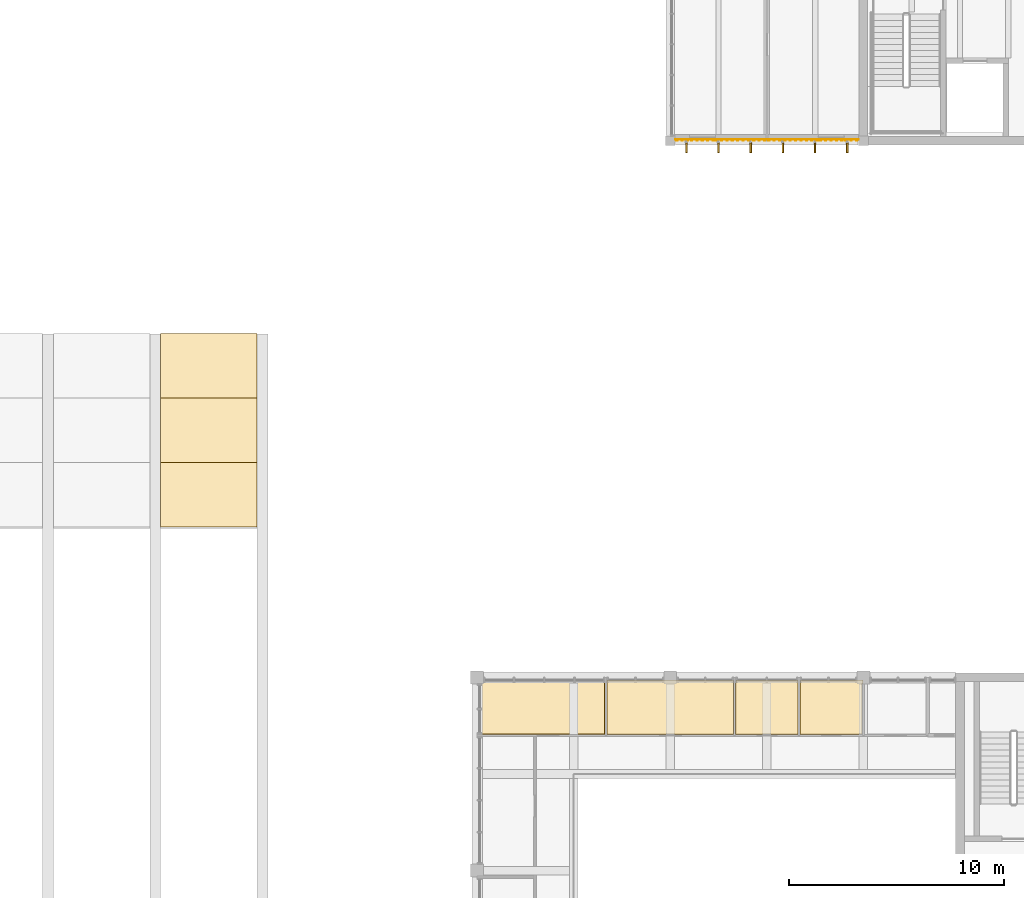
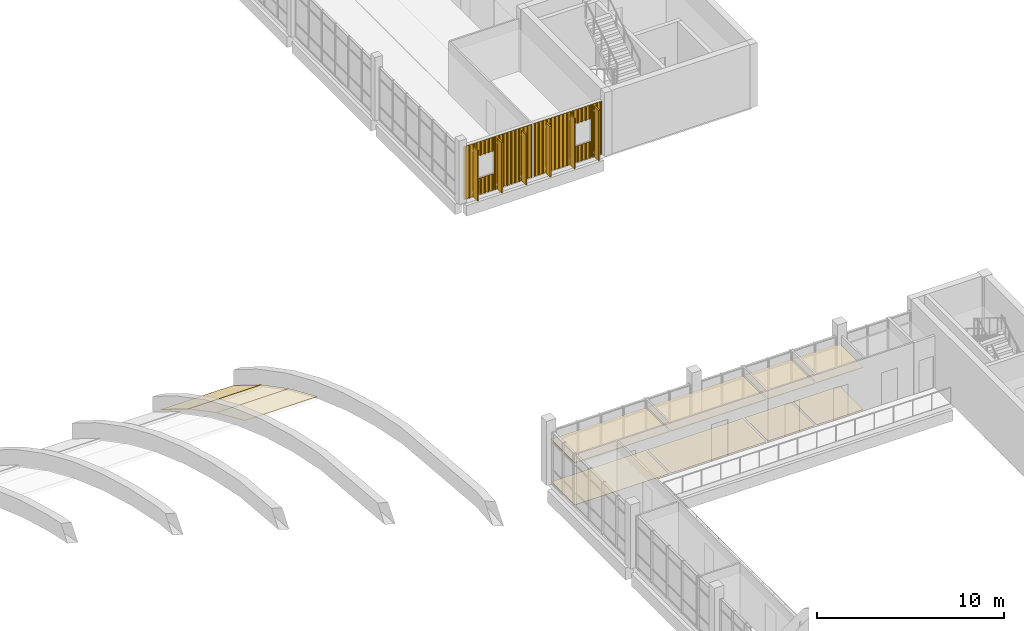
# One storey, part 69 of 88: 19 coverings, 6 shading devices.
"""IFC4 building model written with IfcOpenShell, lengths in metres."""

from ifc_helpers import new_model, si_unit, direction, frame, origin, place, context, subcontext, project, spatial, polyline, outline, extrude, source, transform, mapped, material, layer, layer_set, type_object, element, save


model = new_model("IFC4")

# Units and contexts
model_context = context("Model", 3, precision=1e-05, world=origin(), true_north=direction((0.0, 1.0)))
body_context = subcontext(model_context, "Body", "Model", "MODEL_VIEW")
ifc_project = project(units=[si_unit("LENGTHUNIT", "METRE"), si_unit("AREAUNIT", "SQUARE_METRE"), si_unit("VOLUMEUNIT", "CUBIC_METRE"), si_unit("PLANEANGLEUNIT", "RADIAN"), si_unit("MASSUNIT", "GRAM", prefix="KILO")], contexts=[model_context])

# Site, building, storey
site_placement = place(None, origin())
site = spatial("IfcSite", under=ifc_project, at=site_placement, CompositionType="ELEMENT")
building_placement = place(site_placement, origin())
building = spatial("IfcBuilding", under=site, at=building_placement, Name="Merrow Basin Faculty of Sciences", CompositionType="ELEMENT")
storey_placement = place(building_placement, frame((0.0, 0.0, 9.0)))
storey = spatial("IfcBuildingStorey", under=building, at=storey_placement, Name="L02", CompositionType="ELEMENT", Elevation=9.0)

# Coverings
ifc_material_1 = material(Name="Carpet tile floor")
ifc_layer_1 = layer(ifc_material_1, 0.02001953125)
ifc_layer_set_1 = layer_set([ifc_layer_1], Name="Carpet tile floor")
covering_type_1 = type_object("IfcCoveringType", Name="Carpet tile floor", PredefinedType="FLOORING", material=ifc_layer_set_1)
covering_1_placement = place(storey_placement, origin())
element("IfcCovering", 1, at=covering_1_placement, inside=storey, type_object=covering_type_1, Name="Floor finish L02-A-011", PredefinedType="FLOORING", context=body_context, shape_type="SweptSolid", body=[
    extrude(outline(polyline([(45.110107421875, 35.889892578125), (50.93994140625, 35.889892578125), (50.93994140625, 33.360107421875), (45.110107421875, 33.360107421875), (45.110107421875, 35.889892578125)])), origin(), (0.0, 0.0, 1.0), 0.02001953125),
])
covering_2_placement = place(storey_placement, origin())
element("IfcCovering", 2, at=covering_2_placement, inside=storey, type_object=covering_type_1, Name="Floor finish L02-A-012", PredefinedType="FLOORING", context=body_context, shape_type="SweptSolid", body=[
    extrude(outline(polyline([(56.93994140625, 35.889892578125), (56.93994140625, 33.360107421875), (51.06005859375, 33.360107421875), (51.06005859375, 35.889892578125), (56.93994140625, 35.889892578125)])), origin(), (0.0, 0.0, 1.0), 0.02001953125),
])
ifc_material_2 = material(Name="Ceramic floor tile")
ifc_layer_2 = layer(ifc_material_2, 0.02001953125)
ifc_layer_set_2 = layer_set([ifc_layer_2], Name="Ceramic floor tile")
covering_type_2 = type_object("IfcCoveringType", Name="Ceramic floor tile", PredefinedType="FLOORING", material=ifc_layer_set_2)
covering_3_placement = place(storey_placement, origin())
element("IfcCovering", 3, at=covering_3_placement, inside=storey, type_object=covering_type_2, Name="Floor finish L02-A-013", PredefinedType="FLOORING", context=body_context, shape_type="SweptSolid", body=[
    extrude(outline(polyline([(59.93994140625, 35.889892578125), (59.93994140625, 33.360107421875), (57.06005859375, 33.360107421875), (57.06005859375, 35.889892578125), (59.93994140625, 35.889892578125)])), origin(), (0.0, 0.0, 1.0), 0.02001953125),
])
covering_4_placement = place(storey_placement, origin())
element("IfcCovering", 4, at=covering_4_placement, inside=storey, type_object=covering_type_2, Name="Floor finish L02-A-014", PredefinedType="FLOORING", context=body_context, shape_type="SweptSolid", body=[
    extrude(outline(polyline([(62.989990234375, 35.889892578125), (62.989990234375, 35.7099609375), (62.93994140625, 35.7099609375), (62.93994140625, 33.360107421875), (60.06005859375, 33.360107421875), (60.06005859375, 35.889892578125), (62.989990234375, 35.889892578125)])), origin(), (0.0, 0.0, 1.0), 0.02001953125),
])
ifc_material_3 = material(Name="Bituminous roofing membrane")
ifc_layer_3 = layer(ifc_material_3, 0.030029296875)
ifc_layer_set_3 = layer_set([ifc_layer_3], Name="Shell waterproofing 30")
covering_type_3 = type_object("IfcCoveringType", Name="Shell waterproofing 30", PredefinedType="ROOFING", material=ifc_layer_set_3)
covering_5_placement = place(storey_placement, frame((30.25, 43.011962890625, 4.89697265625), z_axis=(0.0, 0.398876188653, 0.917004790677), x_axis=(1.0, 0.0, 0.0)))
element("IfcCovering", 5, at=covering_5_placement, inside=storey, type_object=covering_type_3, Name="Shell waterproofing", PredefinedType="ROOFING", context=body_context, shape_type="SweptSolid", body=[
    extrude(outline(polyline([(0.0, 0.0), (4.5, 0.0), (4.5, 3.271520531297986), (0.0, 3.271520531297986), (0.0, 0.0)])), origin(), (0.0, 0.0, -1.0), 0.030029296875),
])
covering_6_placement = place(storey_placement, frame((30.25, 46.013916015625, 3.591064453125), z_axis=(0.0, 0.46369174099, 0.885996596685), x_axis=(1.0, 0.0, 0.0)))
element("IfcCovering", 6, at=covering_6_placement, inside=storey, type_object=covering_type_3, Name="Shell waterproofing", PredefinedType="ROOFING", context=body_context, shape_type="SweptSolid", body=[
    extrude(outline(polyline([(0.0, 0.0), (4.5, 0.0), (4.5, 3.3860175210873473), (0.0, 3.3860175210873473), (0.0, 0.0)])), origin(), (0.0, 0.0, -1.0), 0.030029296875),
])
covering_7_placement = place(storey_placement, frame((30.25, 49.01611328125, 2.02001953125), z_axis=(0.0, 0.528358336207, 0.84902147709), x_axis=(1.0, 0.0, 0.0)))
element("IfcCovering", 7, at=covering_7_placement, inside=storey, type_object=covering_type_3, Name="Shell waterproofing", PredefinedType="ROOFING", context=body_context, shape_type="SweptSolid", body=[
    extrude(outline(polyline([(0.0, 0.0), (4.5, 0.0), (4.5, 3.53347951842294), (0.0, 3.53347951842294), (0.0, 0.0)])), origin(), (0.0, 0.0, -1.0), 0.030029296875),
])
ifc_material_4 = material(Name="Mineral fibre ceiling tile")
ifc_layer_4 = layer(ifc_material_4, 0.050048828125)
ifc_layer_set_4 = layer_set([ifc_layer_4], Name="Suspended acoustic ceiling tile")
covering_type_4 = type_object("IfcCoveringType", Name="Suspended acoustic ceiling tile", PredefinedType="CEILING", material=ifc_layer_set_4)
covering_8_placement = place(storey_placement, frame((0.0, 0.0, 2.75)))
element("IfcCovering", 8, at=covering_8_placement, inside=storey, type_object=covering_type_4, Name="Ceiling L02-A-011", PredefinedType="CEILING", context=body_context, shape_type="SweptSolid", body=[
    extrude(outline(polyline([(45.10009765625, 35.89990234375), (50.949951171875, 35.89990234375), (50.949951171875, 33.35009765625), (45.10009765625, 33.35009765625), (45.10009765625, 35.89990234375)])), origin(), (0.0, 0.0, 1.0), 0.050048828125),
])
covering_9_placement = place(storey_placement, frame((0.0, 0.0, 2.75)))
element("IfcCovering", 9, at=covering_9_placement, inside=storey, type_object=covering_type_4, Name="Ceiling L02-A-012", PredefinedType="CEILING", context=body_context, shape_type="SweptSolid", body=[
    extrude(outline(polyline([(56.949951171875, 35.89990234375), (56.949951171875, 33.35009765625), (51.050048828125, 33.35009765625), (51.050048828125, 35.89990234375), (56.949951171875, 35.89990234375)])), origin(), (0.0, 0.0, 1.0), 0.050048828125),
])
covering_10_placement = place(storey_placement, frame((0.0, 0.0, 2.75)))
element("IfcCovering", 10, at=covering_10_placement, inside=storey, type_object=covering_type_4, Name="Ceiling L02-A-013", PredefinedType="CEILING", context=body_context, shape_type="SweptSolid", body=[
    extrude(outline(polyline([(59.949951171875, 35.89990234375), (59.949951171875, 33.35009765625), (57.050048828125, 33.35009765625), (57.050048828125, 35.89990234375), (59.949951171875, 35.89990234375)])), origin(), (0.0, 0.0, 1.0), 0.050048828125),
])
covering_11_placement = place(storey_placement, frame((0.0, 0.0, 2.75)))
element("IfcCovering", 11, at=covering_11_placement, inside=storey, type_object=covering_type_4, Name="Ceiling L02-A-014", PredefinedType="CEILING", context=body_context, shape_type="SweptSolid", body=[
    extrude(outline(polyline([(63.0, 35.89990234375), (63.0, 35.699951171875), (62.949951171875, 35.699951171875), (62.949951171875, 33.35009765625), (60.050048828125, 33.35009765625), (60.050048828125, 35.89990234375), (63.0, 35.89990234375)])), origin(), (0.0, 0.0, 1.0), 0.050048828125),
])
ifc_material_5 = material(Name="Larch timber", Category="wood")
ifc_layer_5 = layer(ifc_material_5, 0.0849609375)
ifc_layer_set_5 = layer_set([ifc_layer_5], Name="Larch batten cladding 85")
covering_type_5 = type_object("IfcCoveringType", Name="Larch batten cladding 85", PredefinedType="CLADDING", material=ifc_layer_set_5)
shared_shape_1 = source(origin(), body_context, "Body", "SweptSolid", [
    extrude(outline(polyline([(0.0, 0.0), (1.199951171875, 0.0), (1.199951171875, 0.02490234375), (1.125, 0.02490234375), (1.125, 0.0849609375), (1.074951171875, 0.0849609375), (1.074951171875, 0.02490234375), (0.875, 0.02490234375), (0.875, 0.0849609375), (0.824951171875, 0.0849609375), (0.824951171875, 0.02490234375), (0.625, 0.02490234375), (0.625, 0.0849609375), (0.574951171875, 0.0849609375), (0.574951171875, 0.02490234375), (0.375, 0.02490234375), (0.375, 0.0849609375), (0.324951171875, 0.0849609375), (0.324951171875, 0.02490234375), (0.125, 0.02490234375), (0.125, 0.0849609375), (0.074951171875, 0.0849609375), (0.074951171875, 0.02490234375), (0.0, 0.02490234375), (0.0, 0.0)])), origin(), (0.0, 0.0, 1.0), 0.89990234375),
])
for number, where, z_axis, x_axis, name in (
    (12, (56.10009765625, 61.0849609375, 2.550048828125), (0.0, 0.0, 1.0), (-1.0, 0.0, 0.0), "Larch batten cladding"),
    (13, (62.10009765625, 61.0849609375, 2.550048828125), (0.0, 0.0, 1.0), (-1.0, 0.0, 0.0), "Larch batten cladding"),
):
    element("IfcCovering", number, at=place(storey_placement, frame(where, z_axis=z_axis, x_axis=x_axis)), inside=storey, type_object=covering_type_5, Name=name, PredefinedType="CLADDING", context=body_context, shape_type="MappedRepresentation", body=[
        mapped(shared_shape_1, transform((0.0, 0.0, 0.0), scale=1.0)),
    ])

# Shading devices
ifc_material_6 = material(Name="Larch timber", Category="wood")
shading_device_type = type_object("IfcShadingDeviceType", Name="Larch timber fin 80 x 450", PredefinedType="USERDEFINED", material=ifc_material_6)
shared_shape_2 = source(origin(), body_context, "Body", "SweptSolid", [
    extrude(outline(polyline([(0.0, 0.0), (0.080078125, 0.0), (0.080078125, 3.300048828125), (0.0, 3.300048828125), (0.0, 0.0)])), origin(), (0.0, 0.0, 1.0), 0.449951171875),
])
for number, where, z_axis, x_axis, name in (
    (14, (54.7099609375, 60.90087890625, 0.10009765625), (0.0, -1.0, 0.0), (1.0, 0.0, 0.0), "Timber fin SL02"),
    (15, (56.2099609375, 60.90087890625, 0.10009765625), (0.0, -1.0, 0.0), (1.0, 0.0, 0.0), "Timber fin SL02"),
    (16, (57.7099609375, 60.90087890625, 0.10009765625), (0.0, -1.0, 0.0), (1.0, 0.0, 0.0), "Timber fin SL02"),
    (17, (59.2099609375, 60.90087890625, 0.10009765625), (0.0, -1.0, 0.0), (1.0, 0.0, 0.0), "Timber fin SL02"),
    (18, (60.7099609375, 60.90087890625, 0.10009765625), (0.0, -1.0, 0.0), (1.0, 0.0, 0.0), "Timber fin SL02"),
    (19, (62.2099609375, 60.90087890625, 0.10009765625), (0.0, -1.0, 0.0), (1.0, 0.0, 0.0), "Timber fin SL02"),
):
    element("IfcShadingDevice", number, at=place(storey_placement, frame(where, z_axis=z_axis, x_axis=x_axis)), inside=storey, type_object=shading_device_type, Name=name, ObjectType="FIN", PredefinedType="USERDEFINED", context=body_context, shape_type="MappedRepresentation", body=[
        mapped(shared_shape_2, transform((0.0, 0.0, 0.0), scale=1.0)),
    ])

# Coverings
shared_shape_3 = source(origin(), body_context, "Body", "SweptSolid", [
    extrude(outline(polyline([(0.0, 0.0), (2.35009765625, 0.0), (2.35009765625, 0.02490234375), (2.324951171875, 0.02490234375), (2.324951171875, 0.0849609375), (2.27490234375, 0.0849609375), (2.27490234375, 0.02490234375), (2.074951171875, 0.02490234375), (2.074951171875, 0.0849609375), (2.02490234375, 0.0849609375), (2.02490234375, 0.02490234375), (1.824951171875, 0.02490234375), (1.824951171875, 0.0849609375), (1.77490234375, 0.0849609375), (1.77490234375, 0.02490234375), (1.574951171875, 0.02490234375), (1.574951171875, 0.0849609375), (1.52490234375, 0.0849609375), (1.52490234375, 0.02490234375), (1.324951171875, 0.02490234375), (1.324951171875, 0.0849609375), (1.27490234375, 0.0849609375), (1.27490234375, 0.02490234375), (1.074951171875, 0.02490234375), (1.074951171875, 0.0849609375), (1.02490234375, 0.0849609375), (1.02490234375, 0.02490234375), (0.824951171875, 0.02490234375), (0.824951171875, 0.0849609375), (0.77490234375, 0.0849609375), (0.77490234375, 0.02490234375), (0.574951171875, 0.02490234375), (0.574951171875, 0.0849609375), (0.52490234375, 0.0849609375), (0.52490234375, 0.02490234375), (0.324951171875, 0.02490234375), (0.324951171875, 0.0849609375), (0.27490234375, 0.0849609375), (0.27490234375, 0.02490234375), (0.074951171875, 0.02490234375), (0.074951171875, 0.0849609375), (0.02490234375, 0.0849609375), (0.02490234375, 0.02490234375), (0.0, 0.02490234375), (0.0, 0.0)])), origin(), (0.0, 0.0, 1.0), 3.449951171875),
])
for number, where, z_axis, x_axis, name in (
    (20, (58.449951171875, 61.0849609375, 0.0), (0.0, 0.0, 1.0), (-1.0, 0.0, 0.0), "Larch batten cladding"),
    (21, (60.89990234375, 61.0849609375, 0.0), (0.0, 0.0, 1.0), (-1.0, 0.0, 0.0), "Larch batten cladding"),
):
    element("IfcCovering", number, at=place(storey_placement, frame(where, z_axis=z_axis, x_axis=x_axis)), inside=storey, type_object=covering_type_5, Name=name, PredefinedType="CLADDING", context=body_context, shape_type="MappedRepresentation", body=[
        mapped(shared_shape_3, transform((0.0, 0.0, 0.0), scale=1.0)),
    ])
shared_shape_4 = source(origin(), body_context, "Body", "SweptSolid", [
    extrude(outline(polyline([(0.0, 0.0), (1.199951171875, 0.0), (1.199951171875, 0.02490234375), (1.125, 0.02490234375), (1.125, 0.0849609375), (1.074951171875, 0.0849609375), (1.074951171875, 0.02490234375), (0.875, 0.02490234375), (0.875, 0.0849609375), (0.824951171875, 0.0849609375), (0.824951171875, 0.02490234375), (0.625, 0.02490234375), (0.625, 0.0849609375), (0.574951171875, 0.0849609375), (0.574951171875, 0.02490234375), (0.375, 0.02490234375), (0.375, 0.0849609375), (0.324951171875, 0.0849609375), (0.324951171875, 0.02490234375), (0.125, 0.02490234375), (0.125, 0.0849609375), (0.074951171875, 0.0849609375), (0.074951171875, 0.02490234375), (0.0, 0.02490234375), (0.0, 0.0)])), origin(), (0.0, 0.0, 1.0), 1.050048828125),
])
for number, where, z_axis, x_axis, name in (
    (22, (56.10009765625, 61.0849609375, 0.0), (0.0, 0.0, 1.0), (-1.0, 0.0, 0.0), "Larch batten cladding"),
    (23, (62.10009765625, 61.0849609375, 0.0), (0.0, 0.0, 1.0), (-1.0, 0.0, 0.0), "Larch batten cladding"),
):
    element("IfcCovering", number, at=place(storey_placement, frame(where, z_axis=z_axis, x_axis=x_axis)), inside=storey, type_object=covering_type_5, Name=name, PredefinedType="CLADDING", context=body_context, shape_type="MappedRepresentation", body=[
        mapped(shared_shape_4, transform((0.0, 0.0, 0.0), scale=1.0)),
    ])
shared_shape_5 = source(origin(), body_context, "Body", "SweptSolid", [
    extrude(outline(polyline([(0.0, 0.0), (0.675048828125, 0.0), (0.675048828125, 0.02490234375), (0.612060546875, 0.02490234375), (0.612060546875, 0.0849609375), (0.56201171875, 0.0849609375), (0.56201171875, 0.02490234375), (0.362060546875, 0.02490234375), (0.362060546875, 0.0849609375), (0.31201171875, 0.0849609375), (0.31201171875, 0.02490234375), (0.112060546875, 0.02490234375), (0.112060546875, 0.0849609375), (0.06201171875, 0.0849609375), (0.06201171875, 0.02490234375), (0.0, 0.02490234375), (0.0, 0.0)])), origin(), (0.0, 0.0, 1.0), 3.449951171875),
])
for number, where, z_axis, x_axis, name in (
    (24, (54.89990234375, 61.0849609375, 0.0), (0.0, 0.0, 1.0), (-1.0, 0.0, 0.0), "Larch batten cladding"),
    (25, (62.77490234375, 61.0849609375, 0.0), (0.0, 0.0, 1.0), (-1.0, 0.0, 0.0), "Larch batten cladding"),
):
    element("IfcCovering", number, at=place(storey_placement, frame(where, z_axis=z_axis, x_axis=x_axis)), inside=storey, type_object=covering_type_5, Name=name, PredefinedType="CLADDING", context=body_context, shape_type="MappedRepresentation", body=[
        mapped(shared_shape_5, transform((0.0, 0.0, 0.0), scale=1.0)),
    ])

save(model, "model.ifc")
